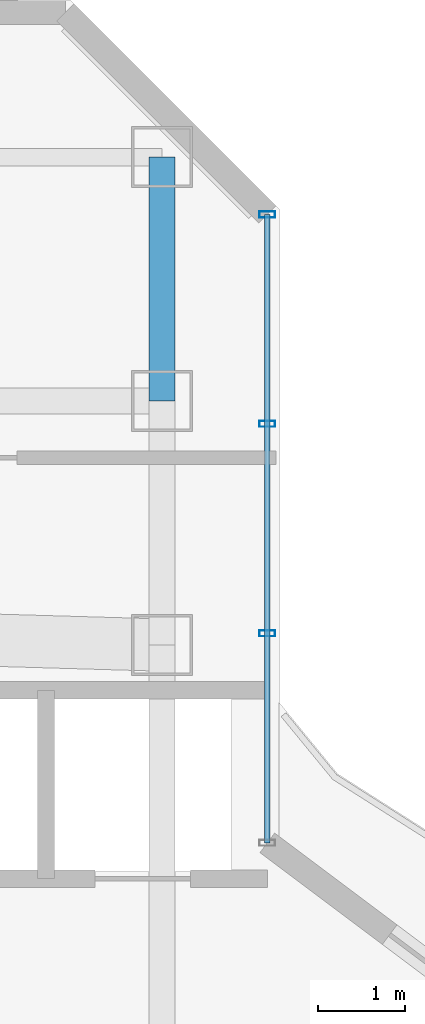
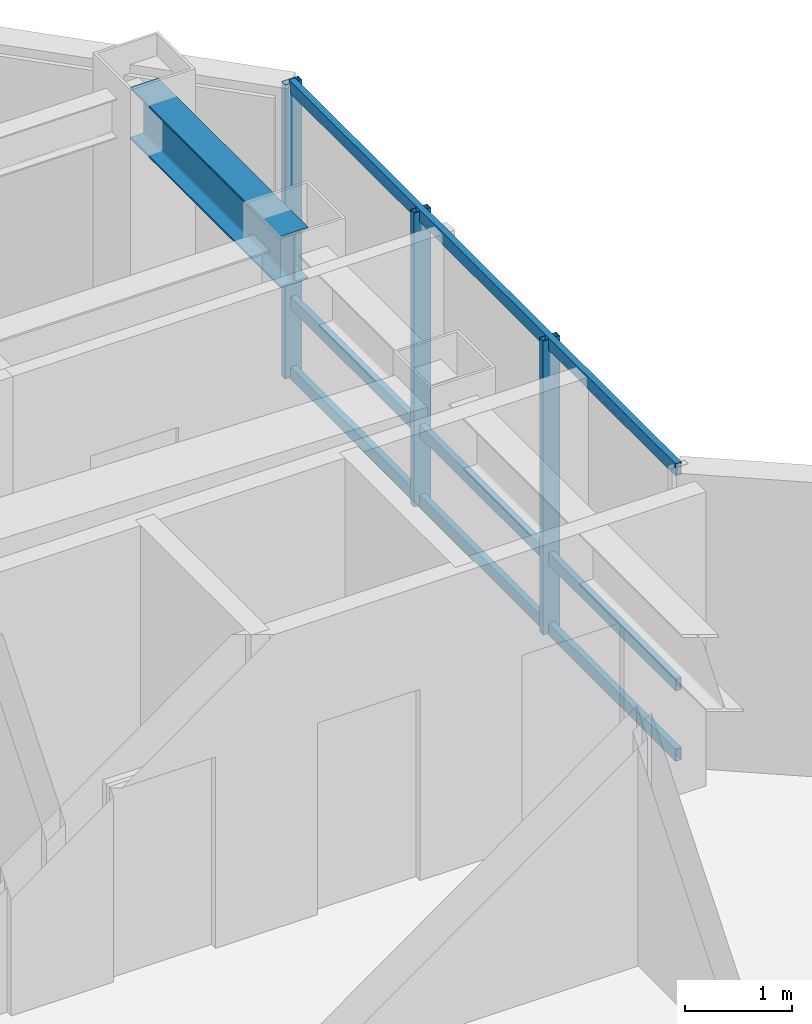
# One storey, part 17 of 25: 6 members, 1 beam, 1 element without a shape of its own.
"""IFC4 building model written with IfcOpenShell, lengths in metres."""

from ifc_helpers import new_model, si_unit, direction, frame, origin, origin_2d, place, context, subcontext, project, spatial, hollow_rectangle, i_section, extrude, material, layer, layer_set, material_profile, profile_set, type_object, element, aggregate, save


model = new_model("IFC4")

# Units and contexts
model_context = context("Model", 3, precision=1e-05, world=origin(), true_north=direction((0.0, 1.0)))
body_context = subcontext(model_context, "Body", "Model", "MODEL_VIEW")
ifc_project = project(units=[si_unit("LENGTHUNIT", "METRE"), si_unit("AREAUNIT", "SQUARE_METRE"), si_unit("VOLUMEUNIT", "CUBIC_METRE"), si_unit("PLANEANGLEUNIT", "RADIAN"), si_unit("MASSUNIT", "GRAM", prefix="KILO")], contexts=[model_context])

# Site, building, storey
site_placement = place(None, origin())
site = spatial("IfcSite", under=ifc_project, at=site_placement, CompositionType="ELEMENT")
building_placement = place(site_placement, origin())
building = spatial("IfcBuilding", under=site, at=building_placement, Name="Hatsunagi Terrace Concourse", CompositionType="ELEMENT")
storey_placement = place(building_placement, frame((0.0, 0.0, 223.949951171875)))
storey = spatial("IfcBuildingStorey", under=building, at=storey_placement, Name="L59", CompositionType="ELEMENT", Elevation=223.949951171875)

# Curtain wall, members
ifc_material_1 = material(Name="Anodised Aluminium Alloy 6063-T5", Category="aluminium")
ifc_layer = layer(ifc_material_1, 0.199951171875)
ifc_layer_set = layer_set([ifc_layer], Name="OfficeZone2_CW04")
curtain_wall_type = type_object("IfcCurtainWallType", Name="OfficeZone2_CW04", PredefinedType="NOTDEFINED", material=ifc_layer_set)
curtain_wall_placement = place(storey_placement, origin())
curtain_wall = element("IfcCurtainWall", 1, at=curtain_wall_placement, inside=storey, type_object=curtain_wall_type, Name="Unitised Curtain Wall CW-04 CW-L59-12", PredefinedType="NOTDEFINED")
ifc_material_2 = material(Name="Anodised Aluminium Alloy 6063-T5", Category="aluminium")
ifc_material_profile_1 = material_profile(ifc_material_2, hollow_rectangle(XDim=0.070068359375, YDim=0.179931640625, WallThickness=0.00390625, at=origin_2d()), Name="ALU-MUL-180x70x4")
ifc_profile_set_1 = profile_set([ifc_material_profile_1], Name="Anodised Aluminium Alloy 6063-T5")
member_type_1 = type_object("IfcMemberType", Name="CurtainWallMullion_180x70", PredefinedType="MULLION", material=ifc_profile_set_1)
member_1_placement = place(storey_placement, frame((44.860107421875, 47.94189453125, 0.0), z_axis=(0.0, 0.0, 1.0), x_axis=(0.0, -1.0, 0.0)))
member_1 = element("IfcMember", 2, at=member_1_placement, type_object=member_type_1, Name="Curtain Wall Mullion MUL-02", PredefinedType="MULLION", context=body_context, shape_type="SweptSolid", body=[
    extrude(hollow_rectangle(XDim=0.070068359375, YDim=0.179931640625, WallThickness=0.00390625, at=origin_2d()), origin(), (0.0, 0.0, 1.0), 3.35009765625),
])
member_2_placement = place(storey_placement, frame((44.860107421875, 45.5380859375, 0.0), z_axis=(0.0, 0.0, 1.0), x_axis=(0.0, -1.0, 0.0)))
member_2 = element("IfcMember", 3, at=member_2_placement, type_object=member_type_1, Name="Curtain Wall Mullion MUL-02", PredefinedType="MULLION", context=body_context, shape_type="SweptSolid", body=[
    extrude(hollow_rectangle(XDim=0.070068359375, YDim=0.179931640625, WallThickness=0.00390625, at=origin_2d()), origin(), (0.0, 0.0, 1.0), 3.35009765625),
])
member_3_placement = place(storey_placement, frame((44.860107421875, 43.134033203125, 0.0), z_axis=(0.0, 0.0, 1.0), x_axis=(0.0, -1.0, 0.0)))
member_3 = element("IfcMember", 4, at=member_3_placement, type_object=member_type_1, Name="Curtain Wall Mullion MUL-02", PredefinedType="MULLION", context=body_context, shape_type="SweptSolid", body=[
    extrude(hollow_rectangle(XDim=0.070068359375, YDim=0.179931640625, WallThickness=0.00390625, at=origin_2d()), origin(), (0.0, 0.0, 1.0), 3.35009765625),
])
ifc_material_3 = material(Name="Anodised Aluminium Alloy 6063-T5", Category="aluminium")
ifc_material_profile_2 = material_profile(ifc_material_3, hollow_rectangle(XDim=0.06494140625, YDim=0.139892578125, WallThickness=0.00390625, at=origin_2d()), Name="ALU-TRN-140x65x4")
ifc_profile_set_2 = profile_set([ifc_material_profile_2], Name="Anodised Aluminium Alloy 6063-T5")
member_type_2 = type_object("IfcMemberType", Name="CurtainWallTransom_140x65", PredefinedType="USERDEFINED", material=ifc_profile_set_2)
member_4_placement = place(storey_placement, frame((44.860107421875, 47.94189453125, 0.050048828125), z_axis=(0.0, -1.0, 0.0), x_axis=(1.0, 0.0, 0.0)))
member_4 = element("IfcMember", 5, at=member_4_placement, type_object=member_type_2, Name="Curtain Wall Transom TRN-02", ObjectType="TRANSOM", PredefinedType="USERDEFINED", context=body_context, shape_type="SweptSolid", body=[
    extrude(hollow_rectangle(XDim=0.06494140625, YDim=0.139892578125, WallThickness=0.00390625, at=origin_2d()), origin(), (0.0, 0.0, 1.0), 7.2119140625),
])
member_5_placement = place(storey_placement, frame((44.860107421875, 47.94189453125, 0.85009765625), z_axis=(0.0, -1.0, 0.0), x_axis=(1.0, 0.0, 0.0)))
member_5 = element("IfcMember", 6, at=member_5_placement, type_object=member_type_2, Name="Curtain Wall Transom TRN-02", ObjectType="TRANSOM", PredefinedType="USERDEFINED", context=body_context, shape_type="SweptSolid", body=[
    extrude(hollow_rectangle(XDim=0.06494140625, YDim=0.139892578125, WallThickness=0.00390625, at=origin_2d()), origin(), (0.0, 0.0, 1.0), 7.2119140625),
])
member_6_placement = place(storey_placement, frame((44.860107421875, 47.94189453125, 3.300048828125), z_axis=(0.0, -1.0, 0.0), x_axis=(1.0, 0.0, 0.0)))
member_6 = element("IfcMember", 7, at=member_6_placement, type_object=member_type_2, Name="Curtain Wall Transom TRN-02", ObjectType="TRANSOM", PredefinedType="USERDEFINED", context=body_context, shape_type="SweptSolid", body=[
    extrude(hollow_rectangle(XDim=0.06494140625, YDim=0.139892578125, WallThickness=0.00390625, at=origin_2d()), origin(), (0.0, 0.0, 1.0), 7.2119140625),
])
aggregate(curtain_wall, [member_1, member_2, member_3, member_4, member_5, member_6])

# Beam
ifc_material_4 = material(Name="Steel SN490B", Category="steel")
ifc_material_profile_3 = material_profile(ifc_material_4, i_section(OverallWidth=0.300048828125, OverallDepth=0.587890625, WebThickness=0.011962890625, FlangeThickness=0.02001953125, FilletRadius=0.01806640625, at=origin_2d()), Name="H-588x300x12x20")
ifc_profile_set_3 = profile_set([ifc_material_profile_3], Name="Steel SN490B")
beam_type = type_object("IfcBeamType", Name="OfficeHighGirder_H_588x300", PredefinedType="BEAM", material=ifc_profile_set_3)
beam_placement = place(storey_placement, frame((43.64990234375, 45.800048828125, 3.05615234375), z_axis=(0.0, 1.0, 0.0), x_axis=(-1.0, 0.0, 0.0)))
element("IfcBeam", 8, at=beam_placement, inside=storey, type_object=beam_type, Name="Beam G-06 BM-L59-KN-WN6", PredefinedType="BEAM", context=body_context, shape_type="SweptSolid", body=[
    extrude(i_section(OverallWidth=0.300048828125, OverallDepth=0.587890625, WebThickness=0.011962890625, FlangeThickness=0.02001953125, FilletRadius=0.01806640625, at=origin_2d()), origin(), (0.0, 0.0, 1.0), 2.800048828125),
])

save(model, "model.ifc")
